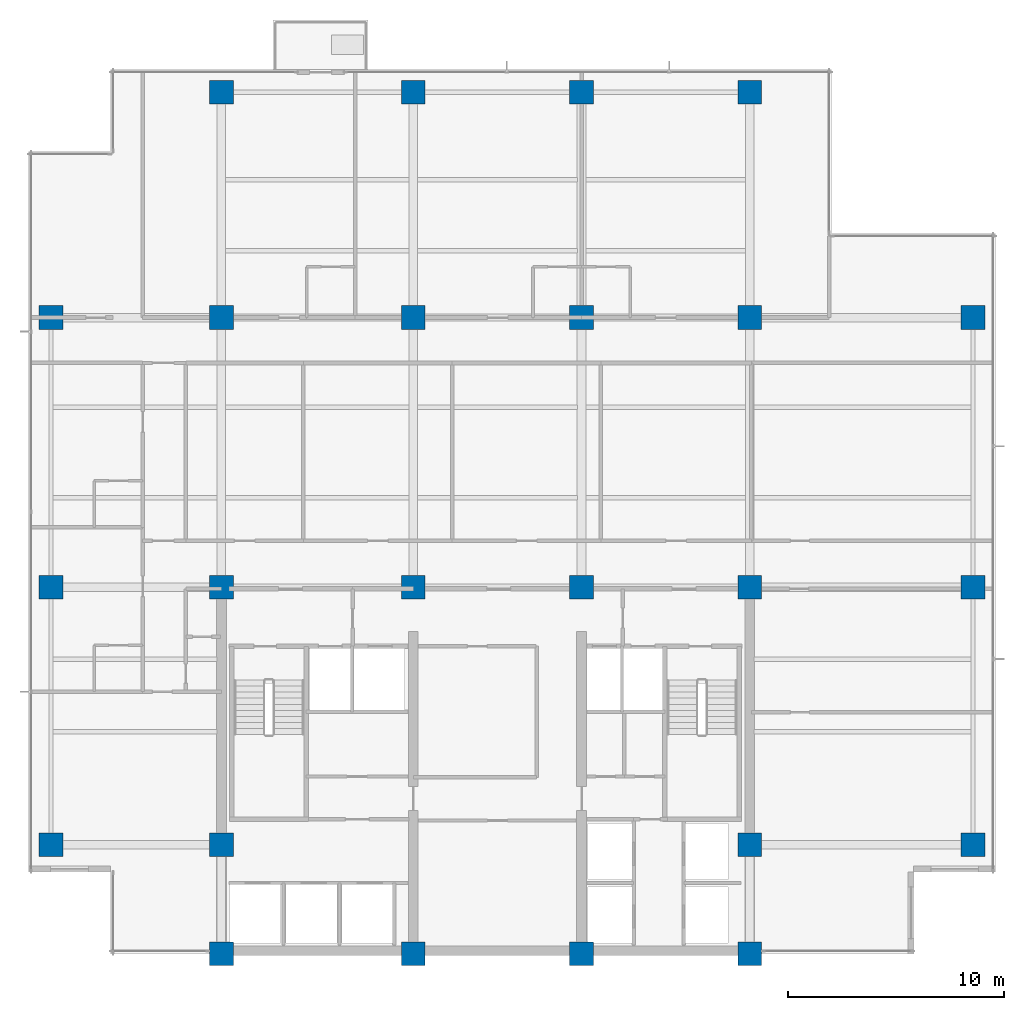
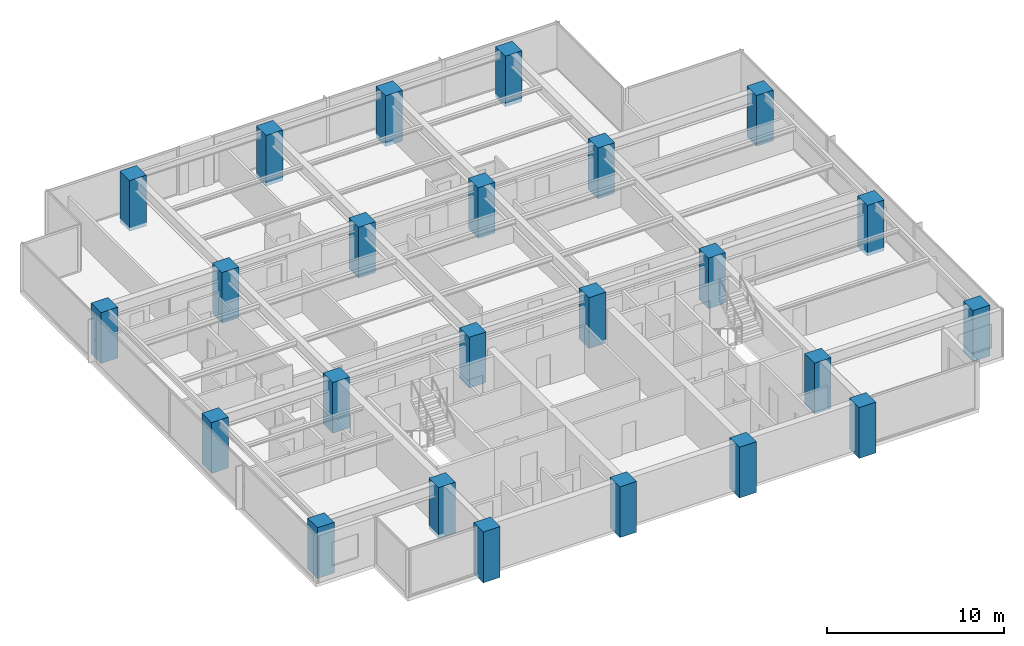
# One storey, part 1 of 14: 24 columns.
"""IFC4 building model written with IfcOpenShell, lengths in metres."""

from ifc_helpers import new_model, si_unit, direction, frame, origin, origin_2d, place, context, subcontext, project, spatial, rectangle, extrude, material, material_profile, profile_set, type_object, element, save


model = new_model("IFC4")

# Units and contexts
model_context = context("Model", 3, precision=1e-05, world=origin(), true_north=direction((0.0, 1.0)))
body_context = subcontext(model_context, "Body", "Model", "MODEL_VIEW")
ifc_project = project(units=[si_unit("LENGTHUNIT", "METRE"), si_unit("AREAUNIT", "SQUARE_METRE"), si_unit("VOLUMEUNIT", "CUBIC_METRE"), si_unit("PLANEANGLEUNIT", "RADIAN"), si_unit("MASSUNIT", "GRAM", prefix="KILO")], contexts=[model_context])

# Site, building, storey
site_placement = place(None, origin())
site = spatial("IfcSite", under=ifc_project, at=site_placement, CompositionType="ELEMENT")
building_placement = place(site_placement, origin())
building = spatial("IfcBuilding", under=site, at=building_placement, Name="Qalmaran Belvedere Hotel", CompositionType="ELEMENT")
storey_placement = place(building_placement, frame((0.0, 0.0, 166.60009765625)))
storey = spatial("IfcBuildingStorey", under=building, at=storey_placement, Name="L42", CompositionType="ELEMENT", Elevation=166.60009765625)

# Columns
ifc_material = material(Name="Concrete C50/60", Category="concrete")
ifc_material_profile = material_profile(ifc_material, rectangle(XDim=1.10009765625, YDim=1.10009765625, at=origin_2d()), Name="CC1100X1100")
ifc_profile_set = profile_set([ifc_material_profile], Name="Concrete C50/60")
column_type = type_object("IfcColumnType", Name="COL-Z3-CC1100", PredefinedType="COLUMN", material=ifc_profile_set)
for number, where, z_axis, x_axis, name in (
    (1, (20.300048828125, 3.5, -0.25), (0.0, 0.0, 1.0), (1.0, 0.0, 0.0), "L42 Column C4B"),
    (2, (29.199951171875, 3.5, -0.25), (0.0, 0.0, 1.0), (1.0, 0.0, 0.0), "L42 Column C5B"),
    (3, (37.0, 3.5, -0.25), (0.0, 0.0, 1.0), (1.0, 0.0, 0.0), "L42 Column C6B"),
    (4, (44.800048828125, 3.5, -0.25), (0.0, 0.0, 1.0), (1.0, 0.0, 0.0), "L42 Column C7B"),
    (5, (20.300048828125, 8.550048828125, -0.25), (0.0, 0.0, 1.0), (1.0, 0.0, 0.0), "L42 Column C4C"),
    (6, (44.800048828125, 8.550048828125, -0.25), (0.0, 0.0, 1.0), (1.0, 0.0, 0.0), "L42 Column C7C"),
    (7, (20.300048828125, 20.5, -0.25), (0.0, 0.0, 1.0), (1.0, 0.0, 0.0), "L42 Column C4D"),
    (8, (29.199951171875, 20.5, -0.25), (0.0, 0.0, 1.0), (1.0, 0.0, 0.0), "L42 Column C5D"),
    (9, (37.0, 20.5, -0.25), (0.0, 0.0, 1.0), (1.0, 0.0, 0.0), "L42 Column C6D"),
    (10, (44.800048828125, 20.5, -0.25), (0.0, 0.0, 1.0), (1.0, 0.0, 0.0), "L42 Column C7D"),
    (11, (20.300048828125, 33.0, -0.25), (0.0, 0.0, 1.0), (1.0, 0.0, 0.0), "L42 Column C4F"),
    (12, (29.199951171875, 33.0, -0.25), (0.0, 0.0, 1.0), (1.0, 0.0, 0.0), "L42 Column C5F"),
    (13, (37.0, 33.0, -0.25), (0.0, 0.0, 1.0), (1.0, 0.0, 0.0), "L42 Column C6F"),
    (14, (44.800048828125, 33.0, -0.25), (0.0, 0.0, 1.0), (1.0, 0.0, 0.0), "L42 Column C7F"),
    (15, (12.39990234375, 8.550048828125, -0.25), (0.0, 0.0, 1.0), (1.0, 0.0, 0.0), "L42 Column CW1"),
    (16, (12.39990234375, 20.5, -0.25), (0.0, 0.0, 1.0), (1.0, 0.0, 0.0), "L42 Column CW3"),
    (17, (12.39990234375, 33.0, -0.25), (0.0, 0.0, 1.0), (1.0, 0.0, 0.0), "L42 Column CW4"),
    (18, (55.14990234375, 8.550048828125, -0.25), (0.0, 0.0, 1.0), (1.0, 0.0, 0.0), "L42 Column CE1"),
    (19, (55.14990234375, 20.5, -0.25), (0.0, 0.0, 1.0), (1.0, 0.0, 0.0), "L42 Column CE3"),
    (20, (55.14990234375, 33.0, -0.25), (0.0, 0.0, 1.0), (1.0, 0.0, 0.0), "L42 Column CE4"),
    (21, (20.300048828125, 43.449951171875, -0.25), (0.0, 0.0, 1.0), (1.0, 0.0, 0.0), "L42 Column CN1"),
    (22, (29.199951171875, 43.449951171875, -0.25), (0.0, 0.0, 1.0), (1.0, 0.0, 0.0), "L42 Column CN2"),
    (23, (37.0, 43.449951171875, -0.25), (0.0, 0.0, 1.0), (1.0, 0.0, 0.0), "L42 Column CN3"),
    (24, (44.800048828125, 43.449951171875, -0.25), (0.0, 0.0, 1.0), (1.0, 0.0, 0.0), "L42 Column CN4"),
):
    element("IfcColumn", number, at=place(storey_placement, frame(where, z_axis=z_axis, x_axis=x_axis)), inside=storey, type_object=column_type, Name=name, PredefinedType="COLUMN", context=body_context, shape_type="SweptSolid", body=[
        extrude(rectangle(XDim=1.10009765625, YDim=1.10009765625, at=origin_2d()), origin(), (0.0, 0.0, 1.0), 3.5),
    ])

save(model, "model.ifc")
